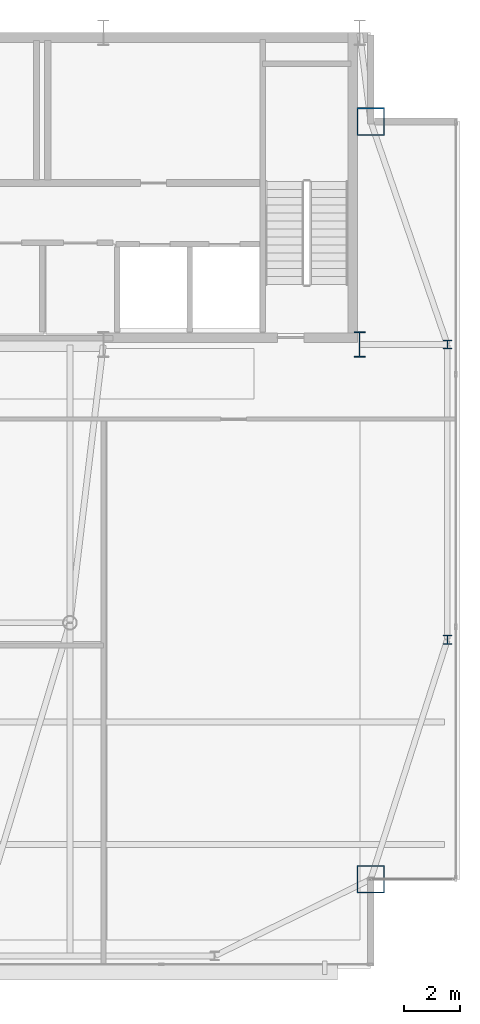
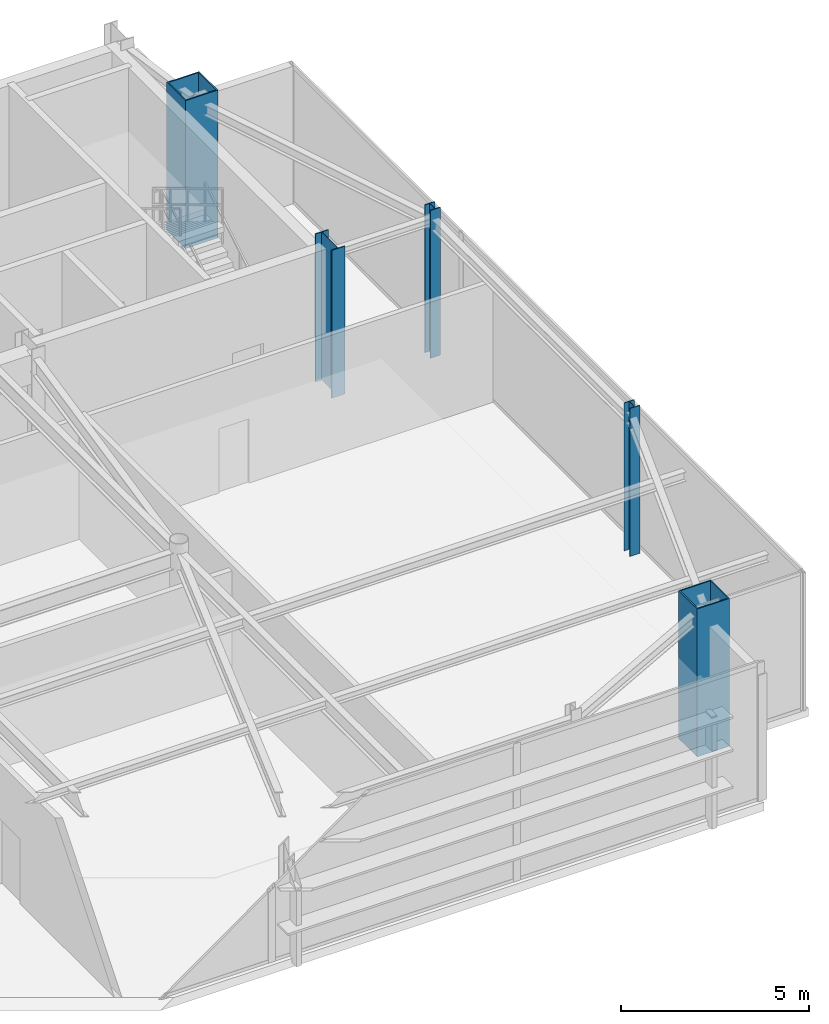
# One storey, part 2 of 20: 5 columns.
"""IFC4 building model written with IfcOpenShell, lengths in metres."""

import ifcopenshell
import ifcopenshell.guid

model = None  # the IFC model being written
_history = None  # IfcOwnerHistory: only IFC2X3 demands one
_inside = {}  # id of a spatial element -> (the spatial element, [elements in it])
_under = {}  # id of a project, library or spatial element -> (it, [spatial elements below it])
_declared = {}  # id of a project -> (the project, [libraries it declares])
_typed = {}  # id of a type object -> (the type object, [elements of that type])
_made_of = {}  # id of a material, layer set ... -> (it, [elements and type objects made of it])


def new_model(schema):
    """Start an empty IFC model of exactly this schema.

    Asked for "IFC4X3", IfcOpenShell would pick the latest addendum, in which some entities
    have other attributes; the version numbers below select the first issue.
    IFC2X3 requires an IfcOwnerHistory on every rooted entity: one is made here for all.
    """
    global model, _history
    if schema == "IFC4X3":
        model = ifcopenshell.file(schema_version=(4, 3, 0, 0))
    else:
        model = ifcopenshell.file(schema=schema)
    _inside.clear()
    _under.clear()
    _declared.clear()
    _typed.clear()
    _made_of.clear()
    _history = None
    if model.schema == "IFC2X3":
        org = make("IfcOrganization", Name="unknown")
        user = make(
            "IfcPersonAndOrganization",
            ThePerson=make("IfcPerson", FamilyName="unknown"),
            TheOrganization=org,
        )
        app = make(
            "IfcApplication",
            ApplicationDeveloper=org,
            Version="unknown",
            ApplicationFullName="unknown",
            ApplicationIdentifier="unknown",
        )
        _history = make(
            "IfcOwnerHistory",
            OwningUser=user,
            OwningApplication=app,
            ChangeAction="ADDED",
            CreationDate=0,
        )
    return model


def make(cls, **values):
    """One entity of the class cls with the attributes given. An attribute that is None is left unset."""
    return model.create_entity(
        cls, **{name: value for name, value in values.items() if value is not None}
    )


def rooted(cls, **values):
    """An entity with a GlobalId (a new one), such as an element, a storey or a relation."""
    return make(cls, GlobalId=ifcopenshell.guid.new(), OwnerHistory=_history, **values)


def si_unit(unit_type, name, prefix=None):
    """IfcSIUnit, for example si_unit("LENGTHUNIT", "METRE", prefix="MILLI")."""
    return make("IfcSIUnit", UnitType=unit_type, Prefix=prefix, Name=name)


def assignment(units):
    """IfcUnitAssignment: the units of a project."""
    return None if units is None else make("IfcUnitAssignment", Units=units)


def point(xyz):
    """IfcCartesianPoint."""
    return None if xyz is None else make("IfcCartesianPoint", Coordinates=xyz)


def direction(xyz):
    """IfcDirection."""
    return None if xyz is None else make("IfcDirection", DirectionRatios=xyz)


def frame(location, z_axis=None, x_axis=None):
    """IfcAxis2Placement3D, a coordinate frame: its origin and axes. An axis left out is left unset."""
    return make(
        "IfcAxis2Placement3D",
        Location=point(location),
        Axis=direction(z_axis),
        RefDirection=direction(x_axis),
    )


def frame_2d(location, x_axis=None):
    """IfcAxis2Placement2D, a coordinate frame in the plane: its origin and x axis."""
    return make(
        "IfcAxis2Placement2D", Location=point(location), RefDirection=direction(x_axis)
    )


def origin():
    """The frame at (0, 0, 0) with its axes left unset."""
    return frame((0.0, 0.0, 0.0))


def origin_2d():
    """The frame at (0, 0) in the plane with its x axis left unset."""
    return frame_2d((0.0, 0.0))


def place(relative_to, where):
    """IfcLocalPlacement: puts the frame where relative to a parent placement (None: the world)."""
    return make(
        "IfcLocalPlacement", PlacementRelTo=relative_to, RelativePlacement=where
    )


def context(
    kind, dimensions, precision=None, world=None, true_north=None, identifier=None
):
    """IfcGeometricRepresentationContext, for example the 3D "Model" context."""
    return make(
        "IfcGeometricRepresentationContext",
        ContextIdentifier=identifier,
        ContextType=kind,
        CoordinateSpaceDimension=dimensions,
        Precision=precision,
        WorldCoordinateSystem=world,
        TrueNorth=true_north,
    )


def subcontext(parent, identifier, kind, view, scale=None):
    """IfcGeometricRepresentationSubContext, for example "Body" below "Model"."""
    return make(
        "IfcGeometricRepresentationSubContext",
        ContextIdentifier=identifier,
        ContextType=kind,
        ParentContext=parent,
        TargetScale=scale,
        TargetView=view,
    )


def project(units=None, contexts=None):
    """IfcProject with its units and contexts."""
    return rooted(
        "IfcProject",
        Name="project",
        RepresentationContexts=contexts,
        UnitsInContext=assignment(units),
    )


def spatial(cls, under=None, at=None, **own):
    """A site, building, storey or space (cls), placed at a placement, below another one or the project."""
    s = rooted(cls, ObjectPlacement=at, **own)
    if under is not None:
        _under.setdefault(under.id(), (under, []))[1].append(s)
    return s


def profile(cls, at=None, kind="AREA", **sizes):
    """A parametric profile (cls). Its sizes go by their IFC names, for example OverallWidth=200.0."""
    return make(cls, ProfileType=kind, Position=at, **sizes)


def hollow_rectangle(**sizes):
    """IfcRectangleHollowProfileDef."""
    return profile("IfcRectangleHollowProfileDef", **sizes)


def i_section(**sizes):
    """IfcIShapeProfileDef."""
    return profile("IfcIShapeProfileDef", **sizes)


def extrude(swept, where, along, depth):
    """IfcExtrudedAreaSolid: the profile swept, set in the frame where, extruded along a direction by depth."""
    return make(
        "IfcExtrudedAreaSolid",
        SweptArea=swept,
        Position=where,
        ExtrudedDirection=direction(along),
        Depth=depth,
    )


def shape(context_of_items, identifier, shape_type, items):
    """IfcShapeRepresentation: the items that make up one representation, for example the "Body"."""
    return make(
        "IfcShapeRepresentation",
        ContextOfItems=context_of_items,
        RepresentationIdentifier=identifier,
        RepresentationType=shape_type,
        Items=items,
    )


def source(mapping_origin, context_of_items, identifier, shape_type, items):
    """IfcRepresentationMap: a shape defined once, which mapped items show again and again."""
    return make(
        "IfcRepresentationMap",
        MappingOrigin=mapping_origin,
        MappedRepresentation=shape(context_of_items, identifier, shape_type, items),
    )


def transform(
    local_origin,
    x_axis=None,
    y_axis=None,
    z_axis=None,
    scale=None,
    scale2=None,
    scale3=None,
    uniform=True,
):
    """IfcCartesianTransformationOperator3D, or its non-uniform kind. x_axis, y_axis, z_axis: its Axis1, 2, 3."""
    if uniform:
        return make(
            "IfcCartesianTransformationOperator3D",
            Axis1=direction(x_axis),
            Axis2=direction(y_axis),
            LocalOrigin=point(local_origin),
            Scale=scale,
            Axis3=direction(z_axis),
        )
    return make(
        "IfcCartesianTransformationOperator3DnonUniform",
        Axis1=direction(x_axis),
        Axis2=direction(y_axis),
        LocalOrigin=point(local_origin),
        Scale=scale,
        Axis3=direction(z_axis),
        Scale2=scale2,
        Scale3=scale3,
    )


def mapped(mapping_source, mapping_target):
    """IfcMappedItem: shows the shape of a source again, moved by a transform."""
    return make(
        "IfcMappedItem", MappingSource=mapping_source, MappingTarget=mapping_target
    )


def material(Name=None, Category=None):
    """IfcMaterial."""
    return make("IfcMaterial", Name=Name, Category=Category)


def material_profile(
    of_material, cross_section, Name=None, Category=None, Priority=None
):
    """IfcMaterialProfile: a cross section and its material."""
    return make(
        "IfcMaterialProfile",
        Name=Name,
        Material=of_material,
        Profile=cross_section,
        Priority=Priority,
        Category=Category,
    )


def profile_set(profiles, Name=None, composite=None):
    """IfcMaterialProfileSet."""
    return make(
        "IfcMaterialProfileSet",
        Name=Name,
        MaterialProfiles=profiles,
        CompositeProfile=composite,
    )


def made_of(thing, what):
    """Note that an element or type object is made of a material, layer set ...; save() writes the relation."""
    if what is not None:
        _made_of.setdefault(what.id(), (what, []))[1].append(thing)
    return thing


def type_object(cls, material=None, **own):
    """A type object (cls), such as IfcWallType, which elements share."""
    return made_of(rooted(cls, **own), material)


def type_shapes(of_type, sources):
    """Give a type object the sources (RepresentationMaps) that its elements show as mapped items."""
    of_type.RepresentationMaps = sources


def element(
    cls,
    number,
    at=None,
    inside=None,
    cuts=None,
    type_object=None,
    material=None,
    context=None,
    identifier="Body",
    shape_type=None,
    held_by="IfcProductDefinitionShape",
    body=None,
    shapes=None,
    **own,
):
    """One element of the class cls, such as IfcWall. Its Tag is "e" and its number.

    at: its placement. inside: the storey or other place that contains it. cuts: it is an
    opening in that element (IfcRelVoidsElement). A single representation is given by context,
    identifier, shape_type and body (its items); several are given by shapes. held_by: the class
    of the entity that holds the representations. save() writes the other relations.
    """
    e = rooted(cls, Tag="e%d" % number, ObjectPlacement=at, **own)
    if body is not None:
        shapes = [shape(context, identifier, shape_type, body)]
    if shapes is not None:
        e.Representation = make(held_by, Representations=shapes)
    if inside is not None:
        _inside.setdefault(inside.id(), (inside, []))[1].append(e)
    if cuts is not None:
        rooted(
            "IfcRelVoidsElement", RelatingBuildingElement=cuts, RelatedOpeningElement=e
        )
    if type_object is not None:
        _typed.setdefault(type_object.id(), (type_object, []))[1].append(e)
    return made_of(e, material)


def aggregate(whole, parts):
    """IfcRelAggregates: a whole, such as a stair, and the parts it consists of."""
    return rooted("IfcRelAggregates", RelatingObject=whole, RelatedObjects=parts)


def save(model, path):
    """Write the relations noted so far, then the file.

    IfcRelAggregates (storeys below a building ...), IfcRelContainedInSpatialStructure (elements
    in a storey), IfcRelDefinesByType, IfcRelAssociatesMaterial and IfcRelDeclares: one each for
    every whole, place, type object, material and project.
    """
    for whole, parts in _under.values():
        aggregate(whole, parts)
    for where, things in _inside.values():
        rooted(
            "IfcRelContainedInSpatialStructure",
            RelatedElements=things,
            RelatingStructure=where,
        )
    for kind, things in _typed.values():
        rooted("IfcRelDefinesByType", RelatedObjects=things, RelatingType=kind)
    for what, things in _made_of.values():
        rooted("IfcRelAssociatesMaterial", RelatedObjects=things, RelatingMaterial=what)
    for by, libraries in _declared.values():
        rooted("IfcRelDeclares", RelatingContext=by, RelatedDefinitions=libraries)
    model.write(path)


model = new_model("IFC4")

# Units and contexts
model_context = context("Model", 3, precision=1e-05, world=origin(), true_north=direction((0.0, 1.0)))
body_context = subcontext(model_context, "Body", "Model", "MODEL_VIEW")
ifc_project = project(units=[si_unit("LENGTHUNIT", "METRE"), si_unit("AREAUNIT", "SQUARE_METRE"), si_unit("VOLUMEUNIT", "CUBIC_METRE"), si_unit("PLANEANGLEUNIT", "RADIAN"), si_unit("MASSUNIT", "GRAM", prefix="KILO")], contexts=[model_context])

# Site, building, storey
site_placement = place(None, origin())
site = spatial("IfcSite", under=ifc_project, at=site_placement, CompositionType="ELEMENT")
building_placement = place(site_placement, origin())
building = spatial("IfcBuilding", under=site, at=building_placement, Name="Varnel Quay Broadcast Tower", CompositionType="ELEMENT")
storey_placement = place(building_placement, frame((0.0, 0.0, 309.800048828125)))
storey = spatial("IfcBuildingStorey", under=building, at=storey_placement, Name="L77", CompositionType="ELEMENT", Elevation=309.800048828125)

# Columns
ifc_material_1 = material(Name="Structural Steel CSA G40.21 350WT", Category="steel")
ifc_material_profile_1 = material_profile(ifc_material_1, i_section(OverallWidth=0.39990234375, OverallDepth=0.89990234375, WebThickness=0.01611328125, FlangeThickness=0.028076171875, FilletRadius=0.01611328125, at=origin_2d()), Name="WWF900X309")
ifc_profile_set_1 = profile_set([ifc_material_profile_1], Name="Structural Steel CSA G40.21 350WT")
column_type_1 = type_object("IfcColumnType", Name="Col_WWF900X309", PredefinedType="COLUMN", material=ifc_profile_set_1)
shared_shape_1 = source(origin(), body_context, "Body", "SweptSolid", [
    extrude(i_section(OverallWidth=0.39990234375, OverallDepth=0.89990234375, WebThickness=0.01611328125, FlangeThickness=0.028076171875, FilletRadius=0.01611328125, at=origin_2d()), origin(), (0.0, 0.0, 1.0), 4.800048828125),
])
type_shapes(column_type_1, [shared_shape_1])
column_placement = place(storey_placement, frame((52.39990234375, 35.60009765625, 0.0), z_axis=(0.0, 0.0, 1.0), x_axis=(1.0, 0.0, 0.0)))
element("IfcColumn", 1, at=column_placement, inside=storey, type_object=column_type_1, Name="L77 Column CC-S5", PredefinedType="COLUMN", context=body_context, shape_type="MappedRepresentation", body=[
    mapped(shared_shape_1, transform((0.0, 0.0, 0.0), x_axis=(1.0, 0.0, 0.0), y_axis=(0.0, 1.0, 0.0), z_axis=(0.0, 0.0, 1.0), scale=1.0)),
])
ifc_material_profile_2 = material_profile(ifc_material_1, hollow_rectangle(XDim=1.0, YDim=1.0, WallThickness=0.0400390625, at=origin_2d()), Name="BOX1000X1000X40")
ifc_profile_set_2 = profile_set([ifc_material_profile_2], Name="Structural Steel CSA G40.21 350WT")
column_type_2 = type_object("IfcColumnType", Name="Col_BOX1000X1000X40", PredefinedType="COLUMN", material=ifc_profile_set_2)
shared_shape_2 = source(origin(), body_context, "Body", "SweptSolid", [
    extrude(hollow_rectangle(XDim=1.0, YDim=1.0, WallThickness=0.0400390625, at=origin_2d()), origin(), (0.0, 0.0, 1.0), 4.800048828125),
])
type_shapes(column_type_2, [shared_shape_2])
for number, where, z_axis, x_axis, name in (
    (2, (52.800048828125, 16.39990234375, 0.0), (0.0, 0.0, 1.0), (1.0, 0.0, 0.0), "L77 Column MC-SE"),
    (3, (52.800048828125, 43.60009765625, 0.0), (0.0, 0.0, 1.0), (1.0, 0.0, 0.0), "L77 Column MC-NE"),
):
    element("IfcColumn", number, at=place(storey_placement, frame(where, z_axis=z_axis, x_axis=x_axis)), inside=storey, type_object=column_type_2, Name=name, PredefinedType="COLUMN", context=body_context, shape_type="MappedRepresentation", body=[
        mapped(shared_shape_2, transform((0.0, 0.0, 0.0), x_axis=(1.0, 0.0, 0.0), y_axis=(0.0, 1.0, 0.0), z_axis=(0.0, 0.0, 1.0), scale=1.0)),
    ])
ifc_material_2 = material(Name="Structural Steel CSA G40.21 350W", Category="steel")
ifc_material_profile_3 = material_profile(ifc_material_2, i_section(OverallWidth=0.30908203125, OverallDepth=0.322998046875, WebThickness=0.013916015625, FlangeThickness=0.02294921875, FilletRadius=0.014892578125, at=origin_2d()), Name="W310X143")
ifc_profile_set_3 = profile_set([ifc_material_profile_3], Name="Structural Steel CSA G40.21 350W")
column_type_3 = type_object("IfcColumnType", Name="Col_W310X143", PredefinedType="COLUMN", material=ifc_profile_set_3)
shared_shape_3 = source(origin(), body_context, "Body", "SweptSolid", [
    extrude(i_section(OverallWidth=0.30908203125, OverallDepth=0.322998046875, WebThickness=0.013916015625, FlangeThickness=0.02294921875, FilletRadius=0.014892578125, at=origin_2d()), origin(), (0.0, 0.0, 1.0), 4.800048828125),
])
type_shapes(column_type_3, [shared_shape_3])
for number, where, z_axis, x_axis, name in (
    (4, (55.550048828125, 25.0, 0.0), (0.0, 0.0, 1.0), (1.0, 0.0, 0.0), "L77 Column TC-E1"),
    (5, (55.550048828125, 35.60009765625, 0.0), (0.0, 0.0, 1.0), (1.0, 0.0, 0.0), "L77 Column TC-E2"),
):
    element("IfcColumn", number, at=place(storey_placement, frame(where, z_axis=z_axis, x_axis=x_axis)), inside=storey, type_object=column_type_3, Name=name, PredefinedType="COLUMN", context=body_context, shape_type="MappedRepresentation", body=[
        mapped(shared_shape_3, transform((0.0, 0.0, 0.0), x_axis=(1.0, 0.0, 0.0), y_axis=(0.0, 1.0, 0.0), z_axis=(0.0, 0.0, 1.0), scale=1.0)),
    ])

save(model, "model.ifc")
